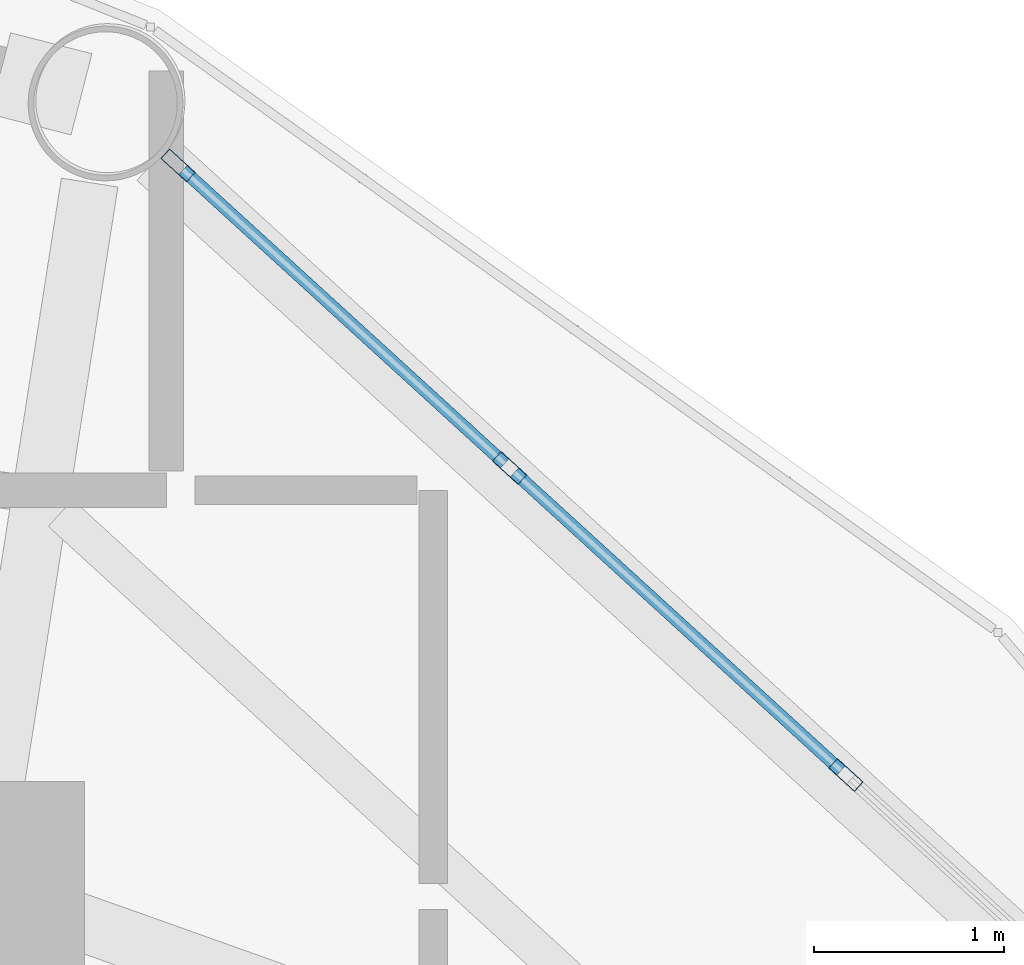
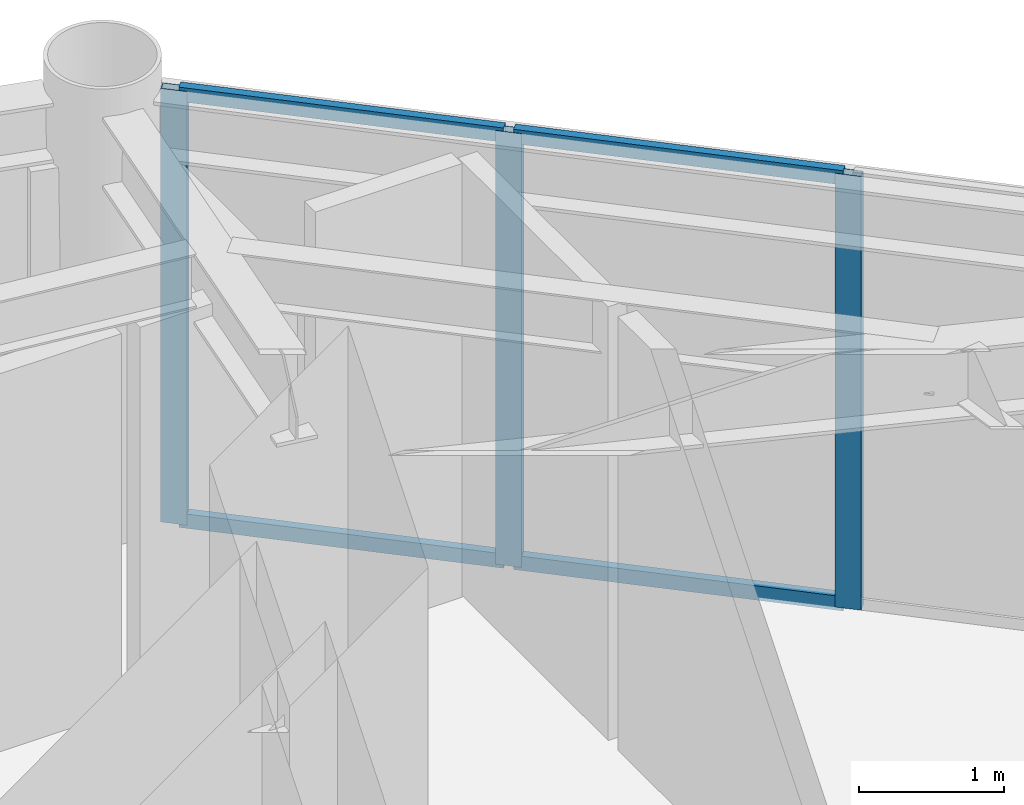
# One storey, part 18 of 24: 7 members, 1 element without a shape of its own.
"""IFC4 building model written with IfcOpenShell, lengths in metres."""

from ifc_helpers import new_model, si_unit, direction, frame, origin, origin_2d, place, context, subcontext, project, spatial, hollow_rectangle, extrude, material, layer, layer_set, material_profile, profile_set, type_object, element, aggregate, save


model = new_model("IFC4")

# Units and contexts
model_context = context("Model", 3, precision=1e-05, world=origin(), true_north=direction((0.0, 1.0)))
body_context = subcontext(model_context, "Body", "Model", "MODEL_VIEW")
ifc_project = project(units=[si_unit("LENGTHUNIT", "METRE"), si_unit("AREAUNIT", "SQUARE_METRE"), si_unit("VOLUMEUNIT", "CUBIC_METRE"), si_unit("PLANEANGLEUNIT", "RADIAN"), si_unit("MASSUNIT", "GRAM", prefix="KILO")], contexts=[model_context])

# Site, building, storey
site_placement = place(None, origin())
site = spatial("IfcSite", under=ifc_project, at=site_placement, CompositionType="ELEMENT")
building_placement = place(site_placement, origin())
building = spatial("IfcBuilding", under=site, at=building_placement, Name="Varnakorn Sky Granary", CompositionType="ELEMENT")
storey_placement = place(building_placement, frame((0.0, 0.0, 118.800048828125)))
storey = spatial("IfcBuildingStorey", under=building, at=storey_placement, Name="L29", CompositionType="ELEMENT", Elevation=118.800048828125)

# Curtain wall, members
ifc_material = material(Name="Anodised Bronze Aluminium Alloy 6063-T6", Category="aluminium")
ifc_layer = layer(ifc_material, 0.179931640625, Name="Anodised Bronze Aluminium Alloy 6063-T6")
ifc_layer_set = layer_set([ifc_layer], Name="Anodised Bronze Aluminium Alloy 6063-T6")
curtain_wall_type = type_object("IfcCurtainWallType", Name="CW-FRM-2", PredefinedType="USERDEFINED", material=ifc_layer_set)
curtain_wall_placement = place(storey_placement, origin())
curtain_wall = element("IfcCurtainWall", 1, at=curtain_wall_placement, inside=storey, type_object=curtain_wall_type, Name="Unitised Curtain Wall CW4 CW-L29-B02", ObjectType="CURTAIN WALL", PredefinedType="USERDEFINED")
ifc_material_profile_1 = material_profile(ifc_material, hollow_rectangle(XDim=0.070068359375, YDim=0.18505859375, WallThickness=0.00390625, at=origin_2d()), Name="ALU MULL 70x185")
ifc_profile_set_1 = profile_set([ifc_material_profile_1], Name="Anodised Bronze Aluminium Alloy 6063-T6")
member_type_1 = type_object("IfcMemberType", Name="CW-FRM-2-MULL", PredefinedType="MULLION", material=ifc_profile_set_1)
member_1_placement = place(storey_placement, frame((9.46142578125, 16.405517578125, 0.0), z_axis=(0.0, 0.0, 1.0), x_axis=(0.674153081651, 0.738591648003, 0.0)))
member_1 = element("IfcMember", 2, at=member_1_placement, type_object=member_type_1, Name="CW4 mullion 1", PredefinedType="MULLION", context=body_context, shape_type="SweptSolid", body=[
    extrude(hollow_rectangle(XDim=0.070068359375, YDim=0.18505859375, WallThickness=0.00390625, at=origin_2d()), origin(), (0.0, 0.0, 1.0), 3.639892578125),
])
member_2_placement = place(storey_placement, frame((11.20166015625, 14.8173828125, 0.0), z_axis=(0.0, 0.0, 1.0), x_axis=(0.674153081651, 0.738591648003, 0.0)))
member_2 = element("IfcMember", 3, at=member_2_placement, type_object=member_type_1, Name="CW4 mullion 2", PredefinedType="MULLION", context=body_context, shape_type="SweptSolid", body=[
    extrude(hollow_rectangle(XDim=0.070068359375, YDim=0.18505859375, WallThickness=0.00390625, at=origin_2d()), origin(), (0.0, 0.0, 1.0), 3.639892578125),
])
member_3_placement = place(storey_placement, frame((12.967529296875, 13.205322265625, 0.0), z_axis=(0.0, 0.0, 1.0), x_axis=(0.674153081651, 0.738591648003, 0.0)))
member_3 = element("IfcMember", 4, at=member_3_placement, type_object=member_type_1, Name="CW4 mullion 3", PredefinedType="MULLION", context=body_context, shape_type="SweptSolid", body=[
    extrude(hollow_rectangle(XDim=0.070068359375, YDim=0.18505859375, WallThickness=0.00390625, at=origin_2d()), origin(), (0.0, 0.0, 1.0), 3.639892578125),
])
ifc_material_profile_2 = material_profile(ifc_material, hollow_rectangle(XDim=0.06494140625, YDim=0.1201171875, WallThickness=0.00341796875, at=origin_2d()), Name="ALU TRAN 65x120")
ifc_profile_set_2 = profile_set([ifc_material_profile_2], Name="Anodised Bronze Aluminium Alloy 6063-T6")
member_type_2 = type_object("IfcMemberType", Name="CW-FRM-2-TRAN", PredefinedType="USERDEFINED", material=ifc_profile_set_2)
member_4_placement = place(storey_placement, frame((9.4873046875, 16.382080078125, 0.032470703125), z_axis=(0.738571031397, -0.674175668191, 0.0), x_axis=(0.674175668191, 0.738571031397, 0.0)))
member_4 = element("IfcMember", 5, at=member_4_placement, type_object=member_type_2, Name="CW4 transom 1.1", ObjectType="TRANSOM", PredefinedType="USERDEFINED", context=body_context, shape_type="SweptSolid", body=[
    extrude(hollow_rectangle(XDim=0.06494140625, YDim=0.1201171875, WallThickness=0.00341796875, at=origin_2d()), origin(), (0.0, 0.0, 1.0), 2.2861328125),
])
member_5_placement = place(storey_placement, frame((9.4873046875, 16.382080078125, 3.607421875), z_axis=(0.738571031397, -0.674175668191, 0.0), x_axis=(0.674175668191, 0.738571031397, 0.0)))
member_5 = element("IfcMember", 6, at=member_5_placement, type_object=member_type_2, Name="CW4 transom 1.2", ObjectType="TRANSOM", PredefinedType="USERDEFINED", context=body_context, shape_type="SweptSolid", body=[
    extrude(hollow_rectangle(XDim=0.06494140625, YDim=0.1201171875, WallThickness=0.00341796875, at=origin_2d()), origin(), (0.0, 0.0, 1.0), 2.2861328125),
])
member_6_placement = place(storey_placement, frame((11.2275390625, 14.793701171875, 0.032470703125), z_axis=(0.738562920083, -0.674184554168, 0.0), x_axis=(0.674184554168, 0.738562920083, 0.0)))
member_6 = element("IfcMember", 7, at=member_6_placement, type_object=member_type_2, Name="CW4 transom 2.1", ObjectType="TRANSOM", PredefinedType="USERDEFINED", context=body_context, shape_type="SweptSolid", body=[
    extrude(hollow_rectangle(XDim=0.06494140625, YDim=0.1201171875, WallThickness=0.00341796875, at=origin_2d()), origin(), (0.0, 0.0, 1.0), 2.32080078125),
])
member_7_placement = place(storey_placement, frame((11.2275390625, 14.793701171875, 3.607421875), z_axis=(0.738562920083, -0.674184554168, 0.0), x_axis=(0.674184554168, 0.738562920083, 0.0)))
member_7 = element("IfcMember", 8, at=member_7_placement, type_object=member_type_2, Name="CW4 transom 2.2", ObjectType="TRANSOM", PredefinedType="USERDEFINED", context=body_context, shape_type="SweptSolid", body=[
    extrude(hollow_rectangle(XDim=0.06494140625, YDim=0.1201171875, WallThickness=0.00341796875, at=origin_2d()), origin(), (0.0, 0.0, 1.0), 2.32080078125),
])
aggregate(curtain_wall, [member_1, member_2, member_3, member_4, member_5, member_6, member_7])

save(model, "model.ifc")
